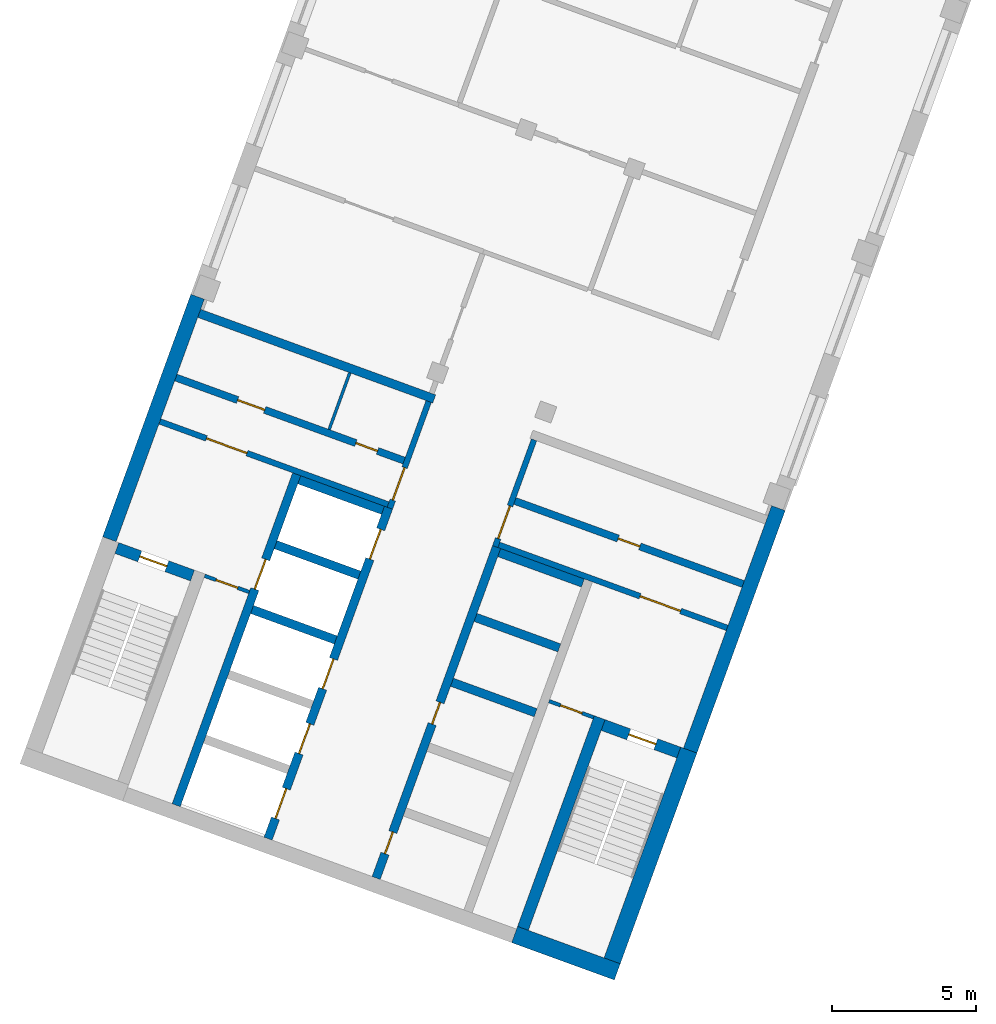
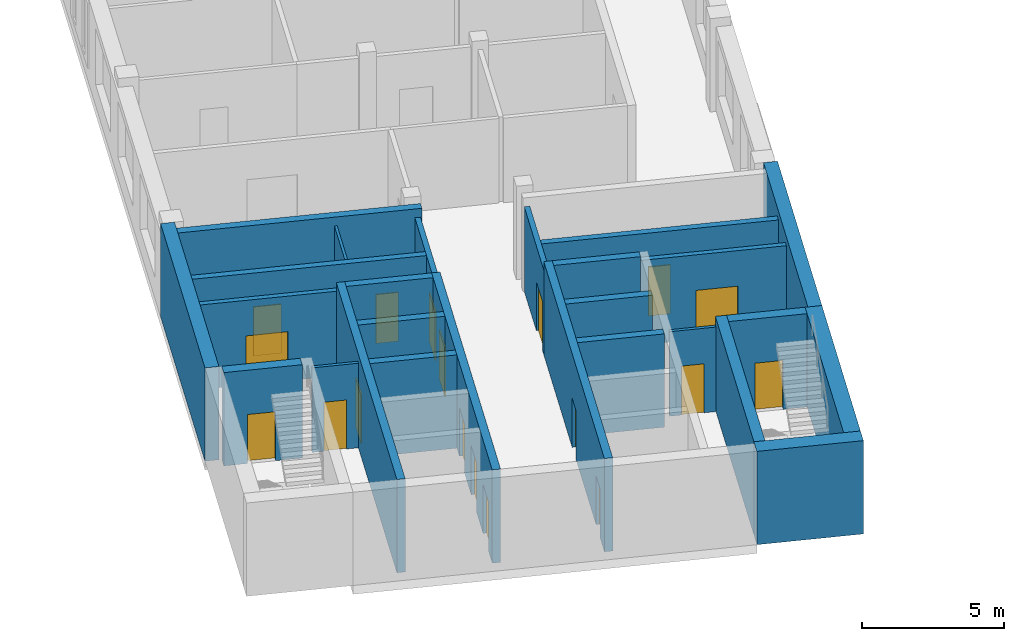
# One storey, part 2 of 8: 26 walls, 18 doors, 18 openings.
"""IFC4 building model written with IfcOpenShell, lengths in metres."""

from ifc_helpers import new_model, si_unit, direction, frame, frame_2d, origin, place, context, subcontext, project, spatial, rectangle, extrude, material, layer, layer_set, type_object, element, fill, save


model = new_model("IFC4")

# Units and contexts
model_context = context("Model", 3, precision=1e-05, world=origin(), true_north=direction((0.0, 1.0)))
body_context = subcontext(model_context, "Body", "Model", "MODEL_VIEW")
ifc_project = project(units=[si_unit("LENGTHUNIT", "METRE"), si_unit("AREAUNIT", "SQUARE_METRE"), si_unit("VOLUMEUNIT", "CUBIC_METRE"), si_unit("PLANEANGLEUNIT", "RADIAN"), si_unit("MASSUNIT", "GRAM", prefix="KILO")], contexts=[model_context])

# Site, building, storey
site_placement = place(None, origin())
site = spatial("IfcSite", under=ifc_project, at=site_placement, CompositionType="ELEMENT")
building_placement = place(site_placement, origin())
building = spatial("IfcBuilding", under=site, at=building_placement, Name="Skarvind Civic Tower", CompositionType="ELEMENT")
storey_placement = place(building_placement, frame((0.0, 0.0, 208.0)))
storey = spatial("IfcBuildingStorey", under=building, at=storey_placement, Name="L49", CompositionType="ELEMENT", Elevation=208.0)

# Wall, opening, door
ifc_material_1 = material(Name="Fire-rated masonry partition", Category="masonry")
ifc_layer_1 = layer(ifc_material_1, 0.199951171875)
ifc_layer_set_1 = layer_set([ifc_layer_1], Name="Core enclosure wall 200")
wall_type_1 = type_object("IfcWallType", Name="Core enclosure wall 200", PredefinedType="PARTITIONING", material=ifc_layer_set_1)
wall_1_placement = place(storey_placement, frame((31.42724609375, 93.663330078125, 0.0), z_axis=(0.0, 0.0, 1.0), x_axis=(0.342030870568, 0.93968871632, 0.0)))
wall_1 = element("IfcWall", 1, at=wall_1_placement, inside=storey, type_object=wall_type_1, Name="Core wall C2", PredefinedType="PARTITIONING", context=body_context, shape_type="SweptSolid", body=[
    extrude(rectangle(XDim=3.9501953125, YDim=0.199951171875, at=frame_2d((1.97509765625, 0.0))), origin(), (0.0, 0.0, 1.0), 3.625),
])
opening_1_placement = place(wall_1_placement, frame((0.300048828125, 0.0, 0.0)))
opening_1 = element("IfcOpeningElement", 2, at=opening_1_placement, cuts=wall_1, Name="Opening D-L49-C2-07", PredefinedType="OPENING", context=body_context, shape_type="SweptSolid", body=[
    extrude(rectangle(XDim=1.199951171875, YDim=2.10009765625, at=frame_2d((0.60009765625, 1.050048828125))), frame((0.0, 0.10986328125, 0.0), z_axis=(0.0, -1.0, 0.0), x_axis=(1.0, 0.0, 0.0)), (0.0, 0.0, 1.0), 0.219970703125),
])
ifc_material_2 = material(Name="Fire-rated steel door", Category="steel")
door_type_1 = type_object("IfcDoorType", Name="Core lobby door 1200", OperationType="NOTDEFINED", PredefinedType="DOOR", material=ifc_material_2)
door_1_placement = place(opening_1_placement, origin())
door_1 = element("IfcDoor", 3, at=door_1_placement, inside=storey, type_object=door_type_1, Name="Fire door", OperationType="DOUBLE_DOOR_SINGLE_SWING", OverallHeight=2.10009765625, OverallWidth=1.199951171875, PredefinedType="DOOR", context=body_context, shape_type="SweptSolid", body=[
    extrude(rectangle(XDim=1.199951171875, YDim=2.10009765625, at=frame_2d((0.60009765625, 1.050048828125))), frame((0.0, 0.02490234375, 0.0), z_axis=(0.0, -1.0, 0.0), x_axis=(1.0, 0.0, 0.0)), (0.0, 0.0, 1.0), 0.050048828125),
])
fill(opening_1, door_1)

wall_2_placement = place(storey_placement, frame((23.42724609375, 96.681640625, 0.0), z_axis=(0.0, 0.0, 1.0), x_axis=(0.939690465531, -0.342026064782, 0.0)))
wall_2 = element("IfcWall", 4, at=wall_2_placement, inside=storey, type_object=wall_type_1, Name="Core wall C2", PredefinedType="PARTITIONING", context=body_context, shape_type="SweptSolid", body=[
    extrude(rectangle(XDim=8.449951171875, YDim=0.199951171875, at=frame_2d((4.22509765625, 0.0))), origin(), (0.0, 0.0, 1.0), 3.625),
])
opening_2_placement = place(wall_2_placement, frame((1.72509765625, 0.0, 0.0)))
opening_2 = element("IfcOpeningElement", 5, at=opening_2_placement, cuts=wall_2, Name="Opening D-L49-C2-08", PredefinedType="OPENING", context=body_context, shape_type="SweptSolid", body=[
    extrude(rectangle(XDim=1.5, YDim=2.10009765625, at=frame_2d((0.75, 1.050048828125))), frame((0.0, 0.10986328125, 0.0), z_axis=(0.0, -1.0, 0.0), x_axis=(1.0, 0.0, 0.0)), (0.0, 0.0, 1.0), 0.219970703125),
])
door_type_2 = type_object("IfcDoorType", Name="Fire door 1500", OperationType="NOTDEFINED", PredefinedType="DOOR", material=ifc_material_2)
door_2_placement = place(opening_2_placement, origin())
door_2 = element("IfcDoor", 6, at=door_2_placement, inside=storey, type_object=door_type_2, Name="Fire door", OperationType="DOUBLE_DOOR_SINGLE_SWING", OverallHeight=2.10009765625, OverallWidth=1.5, PredefinedType="DOOR", context=body_context, shape_type="SweptSolid", body=[
    extrude(rectangle(XDim=1.5, YDim=2.10009765625, at=frame_2d((0.75, 1.050048828125))), frame((0.0, 0.02490234375, 0.0), z_axis=(0.0, -1.0, 0.0), x_axis=(1.0, 0.0, 0.0)), (0.0, 0.0, 1.0), 0.050048828125),
])
fill(opening_2, door_2)

wall_3_placement = place(storey_placement, frame((36.443115234375, 96.041259765625, 0.0), z_axis=(0.0, 0.0, 1.0), x_axis=(-0.341996156931, -0.939701350773, 0.0)))
wall_3 = element("IfcWall", 7, at=wall_3_placement, inside=storey, type_object=wall_type_1, Name="Core wall C2", PredefinedType="PARTITIONING", context=body_context, shape_type="SweptSolid", body=[
    extrude(rectangle(XDim=3.949951171875, YDim=0.199951171875, at=frame_2d((1.97509765625, 0.0))), origin(), (0.0, 0.0, 1.0), 3.625),
])
opening_3_placement = place(wall_3_placement, frame((2.449951171875, 0.0, 0.0)))
opening_3 = element("IfcOpeningElement", 8, at=opening_3_placement, cuts=wall_3, Name="Opening D-L49-C2-13", PredefinedType="OPENING", context=body_context, shape_type="SweptSolid", body=[
    extrude(rectangle(XDim=1.199951171875, YDim=2.10009765625, at=frame_2d((0.60009765625, 1.050048828125))), frame((0.0, 0.10986328125, 0.0), z_axis=(0.0, -1.0, 0.0), x_axis=(1.0, 0.0, 0.0)), (0.0, 0.0, 1.0), 0.219970703125),
])
door_3_placement = place(opening_3_placement, origin())
door_3 = element("IfcDoor", 9, at=door_3_placement, inside=storey, type_object=door_type_1, Name="Fire door", OperationType="DOUBLE_DOOR_SINGLE_SWING", OverallHeight=2.10009765625, OverallWidth=1.199951171875, PredefinedType="DOOR", context=body_context, shape_type="SweptSolid", body=[
    extrude(rectangle(XDim=1.199951171875, YDim=2.10009765625, at=frame_2d((0.60009765625, 1.050048828125))), frame((0.0, 0.02490234375, 0.0), z_axis=(0.0, -1.0, 0.0), x_axis=(1.0, 0.0, 0.0)), (0.0, 0.0, 1.0), 0.050048828125),
])
fill(opening_3, door_3)

wall_4_placement = place(storey_placement, frame((35.22021484375, 92.389404296875, 0.0), z_axis=(0.0, 0.0, 1.0), x_axis=(0.939690465531, -0.342026064782, 0.0)))
wall_4 = element("IfcWall", 10, at=wall_4_placement, inside=storey, type_object=wall_type_1, Name="Core wall C2", PredefinedType="PARTITIONING", context=body_context, shape_type="SweptSolid", body=[
    extrude(rectangle(XDim=8.449951171875, YDim=0.199951171875, at=frame_2d((4.22509765625, 0.0))), origin(), (0.0, 0.0, 1.0), 3.625),
])
opening_4_placement = place(wall_4_placement, frame((5.22509765625, 0.0, 0.0)))
opening_4 = element("IfcOpeningElement", 11, at=opening_4_placement, cuts=wall_4, Name="Opening D-L49-C2-14", PredefinedType="OPENING", context=body_context, shape_type="SweptSolid", body=[
    extrude(rectangle(XDim=1.5, YDim=2.10009765625, at=frame_2d((0.75, 1.050048828125))), frame((0.0, 0.10986328125, 0.0), z_axis=(0.0, -1.0, 0.0), x_axis=(1.0, 0.0, 0.0)), (0.0, 0.0, 1.0), 0.219970703125),
])
door_4_placement = place(opening_4_placement, origin())
door_4 = element("IfcDoor", 12, at=door_4_placement, inside=storey, type_object=door_type_2, Name="Fire door", OperationType="DOUBLE_DOOR_SINGLE_SWING", OverallHeight=2.10009765625, OverallWidth=1.5, PredefinedType="DOOR", context=body_context, shape_type="SweptSolid", body=[
    extrude(rectangle(XDim=1.5, YDim=2.10009765625, at=frame_2d((0.75, 1.050048828125))), frame((0.0, 0.02490234375, 0.0), z_axis=(0.0, -1.0, 0.0), x_axis=(1.0, 0.0, 0.0)), (0.0, 0.0, 1.0), 0.050048828125),
])
fill(opening_4, door_4)

# Wall
ifc_material_3 = material(Name="Fire-rated plasterboard partition")
ifc_layer_2 = layer(ifc_material_3, 0.10009765625)
ifc_layer_set_2 = layer_set([ifc_layer_2], Name="Core partition wall 100")
wall_type_2 = type_object("IfcWallType", Name="Core partition wall 100", PredefinedType="PARTITIONING", material=ifc_layer_set_2)
wall_5_placement = place(storey_placement, frame((29.316162109375, 96.400390625, 0.0), z_axis=(0.0, 0.0, 1.0), x_axis=(0.342023078919, 0.939691552312, 0.0)))
element("IfcWall", 13, at=wall_5_placement, inside=storey, type_object=wall_type_2, Name="Core wall C2", PredefinedType="PARTITIONING", context=body_context, shape_type="SweptSolid", body=[
    extrude(rectangle(XDim=2.10009765625, YDim=0.10009765625, at=frame_2d((1.050048828125, 0.0))), origin(), (0.0, 0.0, 1.0), 3.625),
])

# Wall, openings, doors
ifc_material_4 = material(Name="Concrete C60", Category="concrete")
ifc_layer_3 = layer(ifc_material_4, 0.300048828125)
ifc_layer_set_3 = layer_set([ifc_layer_3], Name="Core wall 300 C60")
wall_type_3 = type_object("IfcWallType", Name="Core wall 300 C60", PredefinedType="SHEAR", material=ifc_layer_set_3)
wall_6_placement = place(storey_placement, frame((30.949462890625, 80.80126953125, 0.0), z_axis=(0.0, 0.0, 1.0), x_axis=(0.342016684409, 0.939693879721, 0.0)))
wall_6 = element("IfcWall", 14, at=wall_6_placement, inside=storey, type_object=wall_type_3, Name="Core wall C2 south lift row front L49", PredefinedType="SHEAR", context=body_context, shape_type="SweptSolid", body=[
    extrude(rectangle(XDim=12.25, YDim=0.300048828125, at=frame_2d((6.125, 0.0))), origin(), (0.0, 0.0, 1.0), 4.0),
])
opening_5_placement = place(wall_6_placement, frame((0.89990234375, 0.0, 0.0)))
opening_5 = element("IfcOpeningElement", 15, at=opening_5_placement, cuts=wall_6, Name="Opening D-L49-C2-05", PredefinedType="OPENING", context=body_context, shape_type="SweptSolid", body=[
    extrude(rectangle(XDim=0.800048828125, YDim=2.10009765625, at=frame_2d((0.39990234375, 1.050048828125))), frame((0.0, 0.159912109375, 0.0), z_axis=(0.0, -1.0, 0.0), x_axis=(1.0, 0.0, 0.0)), (0.0, 0.0, 1.0), 0.320068359375),
])
opening_6_placement = place(wall_6_placement, frame((5.699951171875, 0.0, 0.0)))
opening_6 = element("IfcOpeningElement", 16, at=opening_6_placement, cuts=wall_6, Name="Opening D-L49-C2-06", PredefinedType="OPENING", context=body_context, shape_type="SweptSolid", body=[
    extrude(rectangle(XDim=0.800048828125, YDim=2.10009765625, at=frame_2d((0.39990234375, 1.050048828125))), frame((0.0, 0.159912109375, 0.0), z_axis=(0.0, -1.0, 0.0), x_axis=(1.0, 0.0, 0.0)), (0.0, 0.0, 1.0), 0.320068359375),
])
door_type_3 = type_object("IfcDoorType", Name="Core riser door 800", OperationType="NOTDEFINED", PredefinedType="DOOR", material=ifc_material_2)
door_5_placement = place(opening_5_placement, origin())
door_5 = element("IfcDoor", 17, at=door_5_placement, inside=storey, type_object=door_type_3, Name="Riser door", OperationType="SINGLE_SWING_LEFT", OverallHeight=2.10009765625, OverallWidth=0.800048828125, PredefinedType="DOOR", context=body_context, shape_type="SweptSolid", body=[
    extrude(rectangle(XDim=0.800048828125, YDim=2.10009765625, at=frame_2d((0.39990234375, 1.050048828125))), frame((0.0, 0.02490234375, 0.0), z_axis=(0.0, -1.0, 0.0), x_axis=(1.0, 0.0, 0.0)), (0.0, 0.0, 1.0), 0.050048828125),
])
fill(opening_5, door_5)
door_6_placement = place(opening_6_placement, origin())
door_6 = element("IfcDoor", 18, at=door_6_placement, inside=storey, type_object=door_type_3, Name="Riser door", OperationType="SINGLE_SWING_RIGHT", OverallHeight=2.10009765625, OverallWidth=0.800048828125, PredefinedType="DOOR", context=body_context, shape_type="SweptSolid", body=[
    extrude(rectangle(XDim=0.800048828125, YDim=2.10009765625, at=frame_2d((0.39990234375, 1.050048828125))), frame((0.0, 0.02490234375, 0.0), z_axis=(0.0, -1.0, 0.0), x_axis=(1.0, 0.0, 0.0)), (0.0, 0.0, 1.0), 0.050048828125),
])
fill(opening_6, door_6)

# Walls
for number, where, z_axis, x_axis, name in (
    (19, (36.500244140625, 86.54931640625, 0.0), (0.0, 0.0, 1.0), (-0.939689908313, 0.342027595692, 0.0), "Core wall C2 south lift row division 3 L49"),
    (20, (37.321044921875, 88.8046875, 0.0), (0.0, 0.0, 1.0), (-0.939689908313, 0.342027595692, 0.0), "Core wall C2 south lift row division 4 L49"),
    (21, (38.141845703125, 91.059814453125, 0.0), (0.0, 0.0, 1.0), (-0.939689908313, 0.342027595692, 0.0), "Core wall C2 south lift row division 5 L49"),
):
    element("IfcWall", number, at=place(storey_placement, frame(where, z_axis=z_axis, x_axis=x_axis)), inside=storey, type_object=wall_type_3, Name=name, PredefinedType="SHEAR", context=body_context, shape_type="SweptSolid", body=[
        extrude(rectangle(XDim=3.10009765625, YDim=0.300048828125, at=frame_2d((1.550048828125, 0.0))), origin(), (0.0, 0.0, 1.0), 4.0),
    ])

# Wall, openings, doors
wall_7_placement = place(storey_placement, frame((27.190673828125, 82.169189453125, 0.0), z_axis=(0.0, 0.0, 1.0), x_axis=(0.342016684409, 0.939693879721, 0.0)))
wall_7 = element("IfcWall", 22, at=wall_7_placement, inside=storey, type_object=wall_type_3, Name="Core wall C2 north lift row front L49", PredefinedType="SHEAR", context=body_context, shape_type="SweptSolid", body=[
    extrude(rectangle(XDim=12.25, YDim=0.300048828125, at=frame_2d((6.125, 0.0))), origin(), (0.0, 0.0, 1.0), 4.0),
])
opening_7_placement = place(wall_7_placement, frame((0.75, 0.0, 0.0)))
opening_7 = element("IfcOpeningElement", 23, at=opening_7_placement, cuts=wall_7, Name="Opening LD51201", PredefinedType="OPENING", context=body_context, shape_type="SweptSolid", body=[
    extrude(rectangle(XDim=1.10009765625, YDim=2.10009765625, at=frame_2d((0.550048828125, 1.050048828125))), frame((0.0, 0.159912109375, 0.0), z_axis=(0.0, -1.0, 0.0), x_axis=(1.0, 0.0, 0.0)), (0.0, 0.0, 1.0), 0.320068359375),
])
opening_8_placement = place(wall_7_placement, frame((3.14990234375, 0.0, 0.0)))
opening_8 = element("IfcOpeningElement", 24, at=opening_8_placement, cuts=wall_7, Name="Opening LD51202", PredefinedType="OPENING", context=body_context, shape_type="SweptSolid", body=[
    extrude(rectangle(XDim=1.10009765625, YDim=2.10009765625, at=frame_2d((0.550048828125, 1.050048828125))), frame((0.0, 0.159912109375, 0.0), z_axis=(0.0, -1.0, 0.0), x_axis=(1.0, 0.0, 0.0)), (0.0, 0.0, 1.0), 0.320068359375),
])
opening_9_placement = place(wall_7_placement, frame((5.550048828125, 0.0, 0.0)))
opening_9 = element("IfcOpeningElement", 25, at=opening_9_placement, cuts=wall_7, Name="Opening LD51203", PredefinedType="OPENING", context=body_context, shape_type="SweptSolid", body=[
    extrude(rectangle(XDim=1.10009765625, YDim=2.10009765625, at=frame_2d((0.550048828125, 1.050048828125))), frame((0.0, 0.159912109375, 0.0), z_axis=(0.0, -1.0, 0.0), x_axis=(1.0, 0.0, 0.0)), (0.0, 0.0, 1.0), 0.320068359375),
])
opening_10_placement = place(wall_7_placement, frame((10.35009765625, 0.0, 0.0)))
opening_10 = element("IfcOpeningElement", 26, at=opening_10_placement, cuts=wall_7, Name="Opening LD51205", PredefinedType="OPENING", context=body_context, shape_type="SweptSolid", body=[
    extrude(rectangle(XDim=1.10009765625, YDim=2.10009765625, at=frame_2d((0.550048828125, 1.050048828125))), frame((0.0, 0.159912109375, 0.0), z_axis=(0.0, -1.0, 0.0), x_axis=(1.0, 0.0, 0.0)), (0.0, 0.0, 1.0), 0.320068359375),
])
ifc_material_5 = material(Name="Stainless steel landing door", Category="steel")
door_type_4 = type_object("IfcDoorType", Name="Lift landing door 1100", OperationType="DOUBLE_DOOR_SLIDING", PredefinedType="DOOR", material=ifc_material_5)
door_7_placement = place(opening_7_placement, origin())
door_7 = element("IfcDoor", 27, at=door_7_placement, inside=storey, type_object=door_type_4, Name="Lift landing door", OperationType="DOUBLE_DOOR_SLIDING", OverallHeight=2.10009765625, OverallWidth=1.10009765625, PredefinedType="DOOR", context=body_context, shape_type="SweptSolid", body=[
    extrude(rectangle(XDim=1.10009765625, YDim=2.10009765625, at=frame_2d((0.550048828125, 1.050048828125))), frame((0.0, 0.02490234375, 0.0), z_axis=(0.0, -1.0, 0.0), x_axis=(1.0, 0.0, 0.0)), (0.0, 0.0, 1.0), 0.050048828125),
])
fill(opening_7, door_7)
door_8_placement = place(opening_8_placement, origin())
door_8 = element("IfcDoor", 28, at=door_8_placement, inside=storey, type_object=door_type_4, Name="Lift landing door", OperationType="DOUBLE_DOOR_SLIDING", OverallHeight=2.10009765625, OverallWidth=1.10009765625, PredefinedType="DOOR", context=body_context, shape_type="SweptSolid", body=[
    extrude(rectangle(XDim=1.10009765625, YDim=2.10009765625, at=frame_2d((0.550048828125, 1.050048828125))), frame((0.0, 0.02490234375, 0.0), z_axis=(0.0, -1.0, 0.0), x_axis=(1.0, 0.0, 0.0)), (0.0, 0.0, 1.0), 0.050048828125),
])
fill(opening_8, door_8)
door_9_placement = place(opening_9_placement, origin())
door_9 = element("IfcDoor", 29, at=door_9_placement, inside=storey, type_object=door_type_4, Name="Lift landing door", OperationType="DOUBLE_DOOR_SLIDING", OverallHeight=2.10009765625, OverallWidth=1.10009765625, PredefinedType="DOOR", context=body_context, shape_type="SweptSolid", body=[
    extrude(rectangle(XDim=1.10009765625, YDim=2.10009765625, at=frame_2d((0.550048828125, 1.050048828125))), frame((0.0, 0.02490234375, 0.0), z_axis=(0.0, -1.0, 0.0), x_axis=(1.0, 0.0, 0.0)), (0.0, 0.0, 1.0), 0.050048828125),
])
fill(opening_9, door_9)
door_10_placement = place(opening_10_placement, origin())
door_10 = element("IfcDoor", 30, at=door_10_placement, inside=storey, type_object=door_type_4, Name="Lift landing door", OperationType="DOUBLE_DOOR_SLIDING", OverallHeight=2.10009765625, OverallWidth=1.10009765625, PredefinedType="DOOR", context=body_context, shape_type="SweptSolid", body=[
    extrude(rectangle(XDim=1.10009765625, YDim=2.10009765625, at=frame_2d((0.550048828125, 1.050048828125))), frame((0.0, 0.02490234375, 0.0), z_axis=(0.0, -1.0, 0.0), x_axis=(1.0, 0.0, 0.0)), (0.0, 0.0, 1.0), 0.050048828125),
])
fill(opening_10, door_10)

# Wall, opening, door
wall_8_placement = place(storey_placement, frame((23.99560546875, 83.33203125, 0.0), z_axis=(0.0, 0.0, 1.0), x_axis=(0.342016684409, 0.939693879721, 0.0)))
wall_8 = element("IfcWall", 31, at=wall_8_placement, inside=storey, type_object=wall_type_3, Name="Core wall C2 north lift row back L49", PredefinedType="SHEAR", context=body_context, shape_type="SweptSolid", body=[
    extrude(rectangle(XDim=12.25, YDim=0.300048828125, at=frame_2d((6.125, 0.0))), origin(), (0.0, 0.0, 1.0), 4.0),
])
opening_11_placement = place(wall_8_placement, frame((8.0, 0.0, 0.0)))
opening_11 = element("IfcOpeningElement", 32, at=opening_11_placement, cuts=wall_8, Name="Opening LD51204", PredefinedType="OPENING", context=body_context, shape_type="SweptSolid", body=[
    extrude(rectangle(XDim=1.10009765625, YDim=2.10009765625, at=frame_2d((0.550048828125, 1.050048828125))), frame((0.0, 0.159912109375, 0.0), z_axis=(0.0, -1.0, 0.0), x_axis=(1.0, 0.0, 0.0)), (0.0, 0.0, 1.0), 0.320068359375),
])
door_11_placement = place(opening_11_placement, origin())
door_11 = element("IfcDoor", 33, at=door_11_placement, inside=storey, type_object=door_type_4, Name="Lift landing door", OperationType="DOUBLE_DOOR_SLIDING", OverallHeight=2.10009765625, OverallWidth=1.10009765625, PredefinedType="DOOR", context=body_context, shape_type="SweptSolid", body=[
    extrude(rectangle(XDim=1.10009765625, YDim=2.10009765625, at=frame_2d((0.550048828125, 1.050048828125))), frame((0.0, 0.02490234375, 0.0), z_axis=(0.0, -1.0, 0.0), x_axis=(1.0, 0.0, 0.0)), (0.0, 0.0, 1.0), 0.050048828125),
])
fill(opening_11, door_11)

# Walls
wall_9_placement = place(storey_placement, frame((29.54638671875, 89.080322265625, 0.0), z_axis=(0.0, 0.0, 1.0), x_axis=(-0.939689908313, 0.342027595692, 0.0)))
element("IfcWall", 34, at=wall_9_placement, inside=storey, type_object=wall_type_3, Name="Core wall C2 north lift row division 3 L49", PredefinedType="SHEAR", context=body_context, shape_type="SweptSolid", body=[
    extrude(rectangle(XDim=3.10009765625, YDim=0.300048828125, at=frame_2d((1.550048828125, 0.0))), origin(), (0.0, 0.0, 1.0), 4.0),
])
for number, where, z_axis, x_axis, name in (
    (35, (30.3671875, 91.335693359375, 0.0), (0.0, 0.0, 1.0), (-0.939715217871, 0.341958051961, 0.0), "Core wall C2 north lift row division 4 L49"),
    (36, (31.18798828125, 93.5908203125, 0.0), (0.0, 0.0, 1.0), (-0.939680694448, 0.342052908892, 0.0), "Core wall C2 north lift row division 5 L49"),
):
    element("IfcWall", number, at=place(storey_placement, frame(where, z_axis=z_axis, x_axis=x_axis)), inside=storey, type_object=wall_type_3, Name=name, PredefinedType="SHEAR", context=body_context, shape_type="SweptSolid", body=[
        extrude(rectangle(XDim=3.099853515625, YDim=0.300048828125, at=frame_2d((1.5498046875, 0.0))), origin(), (0.0, 0.0, 1.0), 4.0),
    ])
wall_10_placement = place(storey_placement, frame((32.970703125, 97.46484375, 0.0), z_axis=(0.0, 0.0, 1.0), x_axis=(-0.939695066972, 0.34201342241, 0.0)))
element("IfcWall", 37, at=wall_10_placement, inside=storey, type_object=wall_type_3, Name="Core wall C2 north inner face L49", PredefinedType="SHEAR", context=body_context, shape_type="SweptSolid", body=[
    extrude(rectangle(XDim=8.7001953125, YDim=0.300048828125, at=frame_2d((4.35009765625, 0.0))), origin(), (0.0, 0.0, 1.0), 4.0),
])
ifc_layer_4 = layer(ifc_material_4, 0.39990234375)
ifc_layer_set_4 = layer_set([ifc_layer_4], Name="Core wall 400 C60")
wall_type_4 = type_object("IfcWallType", Name="Core wall 400 C60", PredefinedType="SHEAR", material=ifc_layer_set_4)
wall_11_placement = place(storey_placement, frame((36.057861328125, 79.04833984375, 0.0), z_axis=(0.0, 0.0, 1.0), x_axis=(0.342016982193, 0.939693771338, 0.0)))
element("IfcWall", 38, at=wall_11_placement, inside=storey, type_object=wall_type_4, Name="Core wall C2 south stair inner L49", PredefinedType="SHEAR", context=body_context, shape_type="SweptSolid", body=[
    extrude(rectangle(XDim=7.800048828125, YDim=0.39990234375, at=frame_2d((3.89990234375, 0.0))), origin(), (0.0, 0.0, 1.0), 4.0),
])

# Wall, opening, door
wall_12_placement = place(storey_placement, frame((41.476318359375, 85.163818359375, 0.0), z_axis=(0.0, 0.0, 1.0), x_axis=(-0.939678810556, 0.342058084236, 0.0)))
wall_12 = element("IfcWall", 39, at=wall_12_placement, inside=storey, type_object=wall_type_4, Name="Core wall C2 south stair end L49", PredefinedType="SHEAR", context=body_context, shape_type="SweptSolid", body=[
    extrude(rectangle(XDim=2.800048828125, YDim=0.39990234375, at=frame_2d((1.39990234375, 0.0))), origin(), (0.0, 0.0, 1.0), 4.0),
])
opening_12_placement = place(wall_12_placement, frame((0.85009765625, 0.0, 0.0)))
opening_12 = element("IfcOpeningElement", 40, at=opening_12_placement, cuts=wall_12, Name="Opening D-L49-C2-15", PredefinedType="OPENING", context=body_context, shape_type="SweptSolid", body=[
    extrude(rectangle(XDim=1.0, YDim=2.10009765625, at=frame_2d((0.5, 1.050048828125))), frame((0.0, 0.2099609375, 0.0), z_axis=(0.0, -1.0, 0.0), x_axis=(1.0, 0.0, 0.0)), (0.0, 0.0, 1.0), 0.419921875),
])
door_type_5 = type_object("IfcDoorType", Name="Fire door 1000", OperationType="NOTDEFINED", PredefinedType="DOOR", material=ifc_material_2)
door_12_placement = place(opening_12_placement, origin())
door_12 = element("IfcDoor", 41, at=door_12_placement, inside=storey, type_object=door_type_5, Name="Fire door", OperationType="SINGLE_SWING_RIGHT", OverallHeight=2.10009765625, OverallWidth=1.0, PredefinedType="DOOR", context=body_context, shape_type="SweptSolid", body=[
    extrude(rectangle(XDim=1.0, YDim=2.10009765625, at=frame_2d((0.5, 1.050048828125))), frame((0.0, 0.02490234375, 0.0), z_axis=(0.0, -1.0, 0.0), x_axis=(1.0, 0.0, 0.0)), (0.0, 0.0, 1.0), 0.050048828125),
])
fill(opening_12, door_12)

wall_13_placement = place(storey_placement, frame((24.56201171875, 91.3203125, 0.0), z_axis=(0.0, 0.0, 1.0), x_axis=(-0.939717030584, 0.341953070509, 0.0)))
wall_13 = element("IfcWall", 42, at=wall_13_placement, inside=storey, type_object=wall_type_4, Name="Core wall C2 north stair end L49", PredefinedType="SHEAR", context=body_context, shape_type="SweptSolid", body=[
    extrude(rectangle(XDim=2.800048828125, YDim=0.39990234375, at=frame_2d((1.39990234375, 0.0))), origin(), (0.0, 0.0, 1.0), 4.0),
])
opening_13_placement = place(wall_13_placement, frame((0.949951171875, 0.0, 0.0)))
opening_13 = element("IfcOpeningElement", 43, at=opening_13_placement, cuts=wall_13, Name="Opening D-L49-C2-09", PredefinedType="OPENING", context=body_context, shape_type="SweptSolid", body=[
    extrude(rectangle(XDim=1.0, YDim=2.10009765625, at=frame_2d((0.5, 1.050048828125))), frame((0.0, 0.2099609375, 0.0), z_axis=(0.0, -1.0, 0.0), x_axis=(1.0, 0.0, 0.0)), (0.0, 0.0, 1.0), 0.419921875),
])
door_13_placement = place(opening_13_placement, origin())
door_13 = element("IfcDoor", 44, at=door_13_placement, inside=storey, type_object=door_type_5, Name="Fire door", OperationType="SINGLE_SWING_LEFT", OverallHeight=2.10009765625, OverallWidth=1.0, PredefinedType="DOOR", context=body_context, shape_type="SweptSolid", body=[
    extrude(rectangle(XDim=1.0, YDim=2.10009765625, at=frame_2d((0.5, 1.050048828125))), frame((0.0, 0.02490234375, 0.0), z_axis=(0.0, -1.0, 0.0), x_axis=(1.0, 0.0, 0.0)), (0.0, 0.0, 1.0), 0.050048828125),
])
fill(opening_13, door_13)

# Walls
ifc_layer_5 = layer(ifc_material_4, 0.5)
ifc_layer_set_5 = layer_set([ifc_layer_5], Name="Core wall 500 C60")
wall_type_5 = type_object("IfcWallType", Name="Core wall 500 C60", PredefinedType="SHEAR", material=ifc_layer_set_5)
wall_14_placement = place(storey_placement, frame((41.873779296875, 85.232177734375, 0.0), z_axis=(0.0, 0.0, 1.0), x_axis=(0.342020437038, 0.939692513883, 0.0)))
element("IfcWall", 45, at=wall_14_placement, inside=storey, type_object=wall_type_5, Name="Core wall C2 south side L49", PredefinedType="SHEAR", context=body_context, shape_type="SweptSolid", body=[
    extrude(rectangle(XDim=8.974853515625, YDim=0.5, at=frame_2d((4.4873046875, 0.0))), origin(), (0.0, 0.0, 1.0), 4.0),
])
wall_15_placement = place(storey_placement, frame((21.670166015625, 92.58544921875, 0.0), z_axis=(0.0, 0.0, 1.0), x_axis=(0.342035714298, 0.93968695327, 0.0)))
element("IfcWall", 46, at=wall_15_placement, inside=storey, type_object=wall_type_5, Name="Core wall C2 north side L49", PredefinedType="SHEAR", context=body_context, shape_type="SweptSolid", body=[
    extrude(rectangle(XDim=8.97509765625, YDim=0.5, at=frame_2d((4.487548828125, 0.0))), origin(), (0.0, 0.0, 1.0), 4.0),
])
ifc_layer_6 = layer(ifc_material_4, 0.60009765625)
ifc_layer_set_6 = layer_set([ifc_layer_6], Name="Core wall 600 C60")
wall_type_6 = type_object("IfcWallType", Name="Core wall 600 C60", PredefinedType="SHEAR", material=ifc_layer_set_6)
wall_16_placement = place(storey_placement, frame((39.338134765625, 77.53515625, 0.0), z_axis=(0.0, 0.0, 1.0), x_axis=(-0.939701471648, 0.341995824804, 0.0)))
element("IfcWall", 47, at=wall_16_placement, inside=storey, type_object=wall_type_6, Name="Core wall C2 tip at the south stair L49", PredefinedType="SHEAR", context=body_context, shape_type="SweptSolid", body=[
    extrude(rectangle(XDim=3.800048828125, YDim=0.60009765625, at=frame_2d((1.89990234375, 0.0))), origin(), (0.0, 0.0, 1.0), 4.0),
])
wall_17_placement = place(storey_placement, frame((39.158935546875, 77.919677734375, 0.0), z_axis=(0.0, 0.0, 1.0), x_axis=(0.342016982193, 0.939693771338, 0.0)))
element("IfcWall", 48, at=wall_17_placement, inside=storey, type_object=wall_type_6, Name="Core wall C2 south side at the stair L49", PredefinedType="SHEAR", context=body_context, shape_type="SweptSolid", body=[
    extrude(rectangle(XDim=7.800048828125, YDim=0.60009765625, at=frame_2d((3.89990234375, 0.0))), origin(), (0.0, 0.0, 1.0), 4.0),
])

# Wall, opening, door
ifc_layer_7 = layer(ifc_material_1, 0.125)
ifc_layer_set_7 = layer_set([ifc_layer_7], Name="Riser wall 125")
wall_type_7 = type_object("IfcWallType", Name="Riser wall 125", PredefinedType="PARTITIONING", material=ifc_layer_set_7)
wall_18_placement = place(storey_placement, frame((24.98486328125, 91.3125, 0.0), z_axis=(0.0, 0.0, 1.0), x_axis=(0.939719959755, -0.341945020783, 0.0)))
wall_18 = element("IfcWall", 49, at=wall_18_placement, inside=storey, type_object=wall_type_7, Name="Core wall C2", PredefinedType="PARTITIONING", context=body_context, shape_type="SweptSolid", body=[
    extrude(rectangle(XDim=1.64990234375, YDim=0.125, at=frame_2d((0.824951171875, 0.0))), origin(), (0.0, 0.0, 1.0), 3.625),
])
opening_14_placement = place(wall_18_placement, frame((0.425048828125, 0.0, 0.0)))
opening_14 = element("IfcOpeningElement", 50, at=opening_14_placement, cuts=wall_18, Name="Opening D-L49-C2-10", PredefinedType="OPENING", context=body_context, shape_type="SweptSolid", body=[
    extrude(rectangle(XDim=0.800048828125, YDim=2.10009765625, at=frame_2d((0.39990234375, 1.050048828125))), frame((0.0, 0.072509765625, 0.0), z_axis=(0.0, -1.0, 0.0), x_axis=(1.0, 0.0, 0.0)), (0.0, 0.0, 1.0), 0.14501953125),
])
door_14_placement = place(opening_14_placement, origin())
door_14 = element("IfcDoor", 51, at=door_14_placement, inside=storey, type_object=door_type_3, Name="Riser door", OperationType="SINGLE_SWING_RIGHT", OverallHeight=2.10009765625, OverallWidth=0.800048828125, PredefinedType="DOOR", context=body_context, shape_type="SweptSolid", body=[
    extrude(rectangle(XDim=0.800048828125, YDim=2.10009765625, at=frame_2d((0.39990234375, 1.050048828125))), frame((0.0, 0.02490234375, 0.0), z_axis=(0.0, -1.0, 0.0), x_axis=(1.0, 0.0, 0.0)), (0.0, 0.0, 1.0), 0.050048828125),
])
fill(opening_14, door_14)

wall_19_placement = place(storey_placement, frame((36.9658203125, 86.951904296875, 0.0), z_axis=(0.0, 0.0, 1.0), x_axis=(0.939672407396, -0.342075674051, 0.0)))
wall_19 = element("IfcWall", 52, at=wall_19_placement, inside=storey, type_object=wall_type_7, Name="Core wall C2", PredefinedType="PARTITIONING", context=body_context, shape_type="SweptSolid", body=[
    extrude(rectangle(XDim=1.650146484375, YDim=0.125, at=frame_2d((0.8251953125, 0.0))), origin(), (0.0, 0.0, 1.0), 3.625),
])
opening_15_placement = place(wall_19_placement, frame((0.425048828125, 0.0, 0.0)))
opening_15 = element("IfcOpeningElement", 53, at=opening_15_placement, cuts=wall_19, Name="Opening D-L49-C2-16", PredefinedType="OPENING", context=body_context, shape_type="SweptSolid", body=[
    extrude(rectangle(XDim=0.800048828125, YDim=2.10009765625, at=frame_2d((0.39990234375, 1.050048828125))), frame((0.0, 0.072509765625, 0.0), z_axis=(0.0, -1.0, 0.0), x_axis=(1.0, 0.0, 0.0)), (0.0, 0.0, 1.0), 0.14501953125),
])
door_15_placement = place(opening_15_placement, origin())
door_15 = element("IfcDoor", 54, at=door_15_placement, inside=storey, type_object=door_type_3, Name="Riser door", OperationType="SINGLE_SWING_LEFT", OverallHeight=2.10009765625, OverallWidth=0.800048828125, PredefinedType="DOOR", context=body_context, shape_type="SweptSolid", body=[
    extrude(rectangle(XDim=0.800048828125, YDim=2.10009765625, at=frame_2d((0.39990234375, 1.050048828125))), frame((0.0, 0.02490234375, 0.0), z_axis=(0.0, -1.0, 0.0), x_axis=(1.0, 0.0, 0.0)), (0.0, 0.0, 1.0), 0.050048828125),
])
fill(opening_15, door_15)

# Wall, openings, doors
ifc_layer_8 = layer(ifc_material_1, 0.25)
ifc_layer_set_8 = layer_set([ifc_layer_8], Name="Service block wall 250")
wall_type_8 = type_object("IfcWallType", Name="Service block wall 250", PredefinedType="PARTITIONING", material=ifc_layer_set_8)
wall_20_placement = place(storey_placement, frame((23.98291015625, 98.20849609375, 0.0), z_axis=(0.0, 0.0, 1.0), x_axis=(0.939699751196, -0.342000552051, 0.0)))
wall_20 = element("IfcWall", 55, at=wall_20_placement, inside=storey, type_object=wall_type_8, Name="Core wall C2", PredefinedType="PARTITIONING", context=body_context, shape_type="SweptSolid", body=[
    extrude(rectangle(XDim=8.449951171875, YDim=0.25, at=frame_2d((4.22509765625, 0.0))), origin(), (0.0, 0.0, 1.0), 3.625),
])
opening_16_placement = place(wall_20_placement, frame((6.6650390625, 0.0, 0.0)))
opening_16 = element("IfcOpeningElement", 56, at=opening_16_placement, cuts=wall_20, Name="Opening D-L49-C2-11", PredefinedType="OPENING", context=body_context, shape_type="SweptSolid", body=[
    extrude(rectangle(XDim=0.800048828125, YDim=2.10009765625, at=frame_2d((0.39990234375, 1.050048828125))), frame((0.0, 0.135009765625, 0.0), z_axis=(0.0, -1.0, 0.0), x_axis=(1.0, 0.0, 0.0)), (0.0, 0.0, 1.0), 0.27001953125),
])
opening_17_placement = place(wall_20_placement, frame((2.2900390625, 0.0, 0.0)))
opening_17 = element("IfcOpeningElement", 57, at=opening_17_placement, cuts=wall_20, Name="Opening D-L49-C2-12", PredefinedType="OPENING", context=body_context, shape_type="SweptSolid", body=[
    extrude(rectangle(XDim=1.0, YDim=2.10009765625, at=frame_2d((0.5, 1.050048828125))), frame((0.0, 0.135009765625, 0.0), z_axis=(0.0, -1.0, 0.0), x_axis=(1.0, 0.0, 0.0)), (0.0, 0.0, 1.0), 0.27001953125),
])
door_16_placement = place(opening_16_placement, origin())
door_16 = element("IfcDoor", 58, at=door_16_placement, inside=storey, type_object=door_type_3, Name="Riser door", OperationType="SINGLE_SWING_LEFT", OverallHeight=2.10009765625, OverallWidth=0.800048828125, PredefinedType="DOOR", context=body_context, shape_type="SweptSolid", body=[
    extrude(rectangle(XDim=0.800048828125, YDim=2.10009765625, at=frame_2d((0.39990234375, 1.050048828125))), frame((0.0, 0.02490234375, 0.0), z_axis=(0.0, -1.0, 0.0), x_axis=(1.0, 0.0, 0.0)), (0.0, 0.0, 1.0), 0.050048828125),
])
fill(opening_16, door_16)
door_17_placement = place(opening_17_placement, origin())
door_17 = element("IfcDoor", 59, at=door_17_placement, inside=storey, type_object=door_type_5, Name="Fire door", OperationType="SINGLE_SWING_RIGHT", OverallHeight=2.10009765625, OverallWidth=1.0, PredefinedType="DOOR", context=body_context, shape_type="SweptSolid", body=[
    extrude(rectangle(XDim=1.0, YDim=2.10009765625, at=frame_2d((0.5, 1.050048828125))), frame((0.0, 0.02490234375, 0.0), z_axis=(0.0, -1.0, 0.0), x_axis=(1.0, 0.0, 0.0)), (0.0, 0.0, 1.0), 0.050048828125),
])
fill(opening_17, door_17)

# Wall, opening, door
wall_21_placement = place(storey_placement, frame((35.776123046875, 93.916259765625, 0.0), z_axis=(0.0, 0.0, 1.0), x_axis=(0.939690465531, -0.342026064782, 0.0)))
wall_21 = element("IfcWall", 60, at=wall_21_placement, inside=storey, type_object=wall_type_8, Name="Core wall C2", PredefinedType="PARTITIONING", context=body_context, shape_type="SweptSolid", body=[
    extrude(rectangle(XDim=8.449951171875, YDim=0.25, at=frame_2d((4.22509765625, 0.0))), origin(), (0.0, 0.0, 1.0), 3.625),
])
opening_18_placement = place(wall_21_placement, frame((3.824951171875, 0.0, 0.0)))
opening_18 = element("IfcOpeningElement", 61, at=opening_18_placement, cuts=wall_21, Name="Opening D-L49-C2-17", PredefinedType="OPENING", context=body_context, shape_type="SweptSolid", body=[
    extrude(rectangle(XDim=0.800048828125, YDim=2.10009765625, at=frame_2d((0.39990234375, 1.050048828125))), frame((0.0, 0.135009765625, 0.0), z_axis=(0.0, -1.0, 0.0), x_axis=(1.0, 0.0, 0.0)), (0.0, 0.0, 1.0), 0.27001953125),
])
door_18_placement = place(opening_18_placement, origin())
door_18 = element("IfcDoor", 62, at=door_18_placement, inside=storey, type_object=door_type_3, Name="Riser door", OperationType="SINGLE_SWING_RIGHT", OverallHeight=2.10009765625, OverallWidth=0.800048828125, PredefinedType="DOOR", context=body_context, shape_type="SweptSolid", body=[
    extrude(rectangle(XDim=0.800048828125, YDim=2.10009765625, at=frame_2d((0.39990234375, 1.050048828125))), frame((0.0, 0.02490234375, 0.0), z_axis=(0.0, -1.0, 0.0), x_axis=(1.0, 0.0, 0.0)), (0.0, 0.0, 1.0), 0.050048828125),
])
fill(opening_18, door_18)

save(model, "model.ifc")
